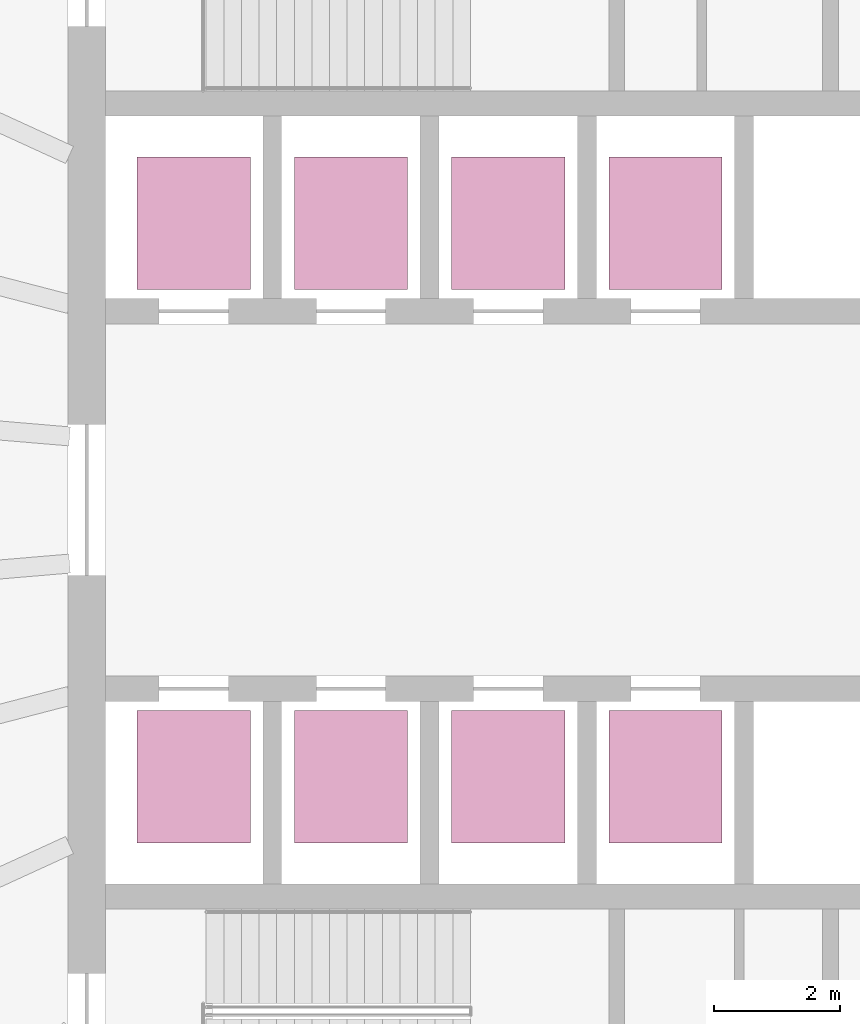
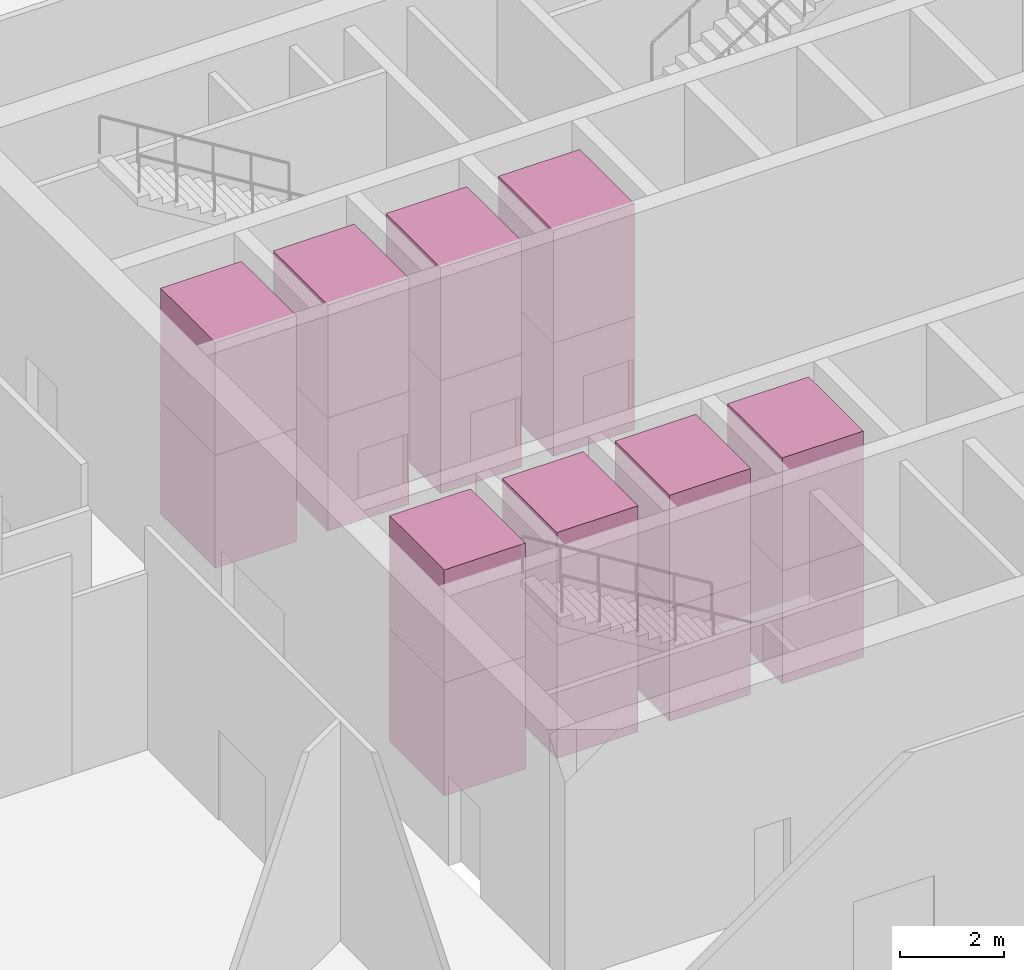
# One storey, part 29 of 29: 16 transport elements.
"""IFC4 building model written with IfcOpenShell, lengths in metres."""

from ifc_helpers import new_model, si_unit, direction, frame, origin, origin_2d, place, context, subcontext, project, spatial, rectangle, extrude, material, type_object, element, save


model = new_model("IFC4")

# Units and contexts
model_context = context("Model", 3, precision=1e-05, world=origin(), true_north=direction((0.0, 1.0)))
body_context = subcontext(model_context, "Body", "Model", "MODEL_VIEW")
ifc_project = project(units=[si_unit("LENGTHUNIT", "METRE"), si_unit("AREAUNIT", "SQUARE_METRE"), si_unit("VOLUMEUNIT", "CUBIC_METRE"), si_unit("PLANEANGLEUNIT", "RADIAN"), si_unit("MASSUNIT", "GRAM", prefix="KILO")], contexts=[model_context])

# Site, building, storey
site_placement = place(None, origin())
site = spatial("IfcSite", under=ifc_project, at=site_placement, CompositionType="ELEMENT")
building_placement = place(site_placement, origin())
building = spatial("IfcBuilding", under=site, at=building_placement, Name="Halqa Exchange Tower", CompositionType="ELEMENT")
storey_placement = place(building_placement, frame((0.0, 0.0, 7.0)))
storey = spatial("IfcBuildingStorey", under=building, at=storey_placement, Name="L01", CompositionType="ELEMENT", Elevation=7.0)

# Transport elements
ifc_material = material(Name="Stainless steel", Category="steel")
transport_element_type = type_object("IfcTransportElementType", Name="Low-rise passenger lift 1800 x 2100", PredefinedType="ELEVATOR", material=ifc_material)
for number, where, z_axis, x_axis, name in (
    (1, (-10.0, 4.39990234375, 0.0), (0.0, 0.0, 1.0), (1.0, 0.0, 0.0), "Low-rise passenger lift LR1"),
    (2, (-10.0, 4.39990234375, 2.650146484375), (0.0, 0.0, 1.0), (1.0, 0.0, 0.0), "Low-rise passenger lift LR1"),
    (3, (-7.5, 4.39990234375, 0.0), (0.0, 0.0, 1.0), (1.0, 0.0, 0.0), "Low-rise passenger lift LR2"),
    (4, (-7.5, 4.39990234375, 2.650146484375), (0.0, 0.0, 1.0), (1.0, 0.0, 0.0), "Low-rise passenger lift LR2"),
    (5, (-5.0, 4.39990234375, 0.0), (0.0, 0.0, 1.0), (1.0, 0.0, 0.0), "Low-rise passenger lift LR3"),
    (6, (-5.0, 4.39990234375, 2.650146484375), (0.0, 0.0, 1.0), (1.0, 0.0, 0.0), "Low-rise passenger lift LR3"),
    (7, (-2.5, 4.39990234375, 0.0), (0.0, 0.0, 1.0), (1.0, 0.0, 0.0), "Low-rise passenger lift LR4"),
    (8, (-2.5, 4.39990234375, 2.650146484375), (0.0, 0.0, 1.0), (1.0, 0.0, 0.0), "Low-rise passenger lift LR4"),
    (9, (-10.0, -4.39990234375, 0.0), (0.0, 0.0, 1.0), (1.0, 0.0, 0.0), "Low-rise passenger lift LR5"),
    (10, (-10.0, -4.39990234375, 2.650146484375), (0.0, 0.0, 1.0), (1.0, 0.0, 0.0), "Low-rise passenger lift LR5"),
    (11, (-7.5, -4.39990234375, 0.0), (0.0, 0.0, 1.0), (1.0, 0.0, 0.0), "Low-rise passenger lift LR6"),
    (12, (-7.5, -4.39990234375, 2.650146484375), (0.0, 0.0, 1.0), (1.0, 0.0, 0.0), "Low-rise passenger lift LR6"),
    (13, (-5.0, -4.39990234375, 0.0), (0.0, 0.0, 1.0), (1.0, 0.0, 0.0), "Low-rise passenger lift LR7"),
    (14, (-5.0, -4.39990234375, 2.650146484375), (0.0, 0.0, 1.0), (1.0, 0.0, 0.0), "Low-rise passenger lift LR7"),
    (15, (-2.5, -4.39990234375, 0.0), (0.0, 0.0, 1.0), (1.0, 0.0, 0.0), "Low-rise passenger lift LR8"),
    (16, (-2.5, -4.39990234375, 2.650146484375), (0.0, 0.0, 1.0), (1.0, 0.0, 0.0), "Low-rise passenger lift LR8"),
):
    element("IfcTransportElement", number, at=place(storey_placement, frame(where, z_axis=z_axis, x_axis=x_axis)), inside=storey, type_object=transport_element_type, Name=name, PredefinedType="ELEVATOR", context=body_context, shape_type="SweptSolid", body=[
        extrude(rectangle(XDim=1.800048828125, YDim=2.10009765625, at=origin_2d()), origin(), (0.0, 0.0, 1.0), 2.64990234375),
    ])

save(model, "model.ifc")
